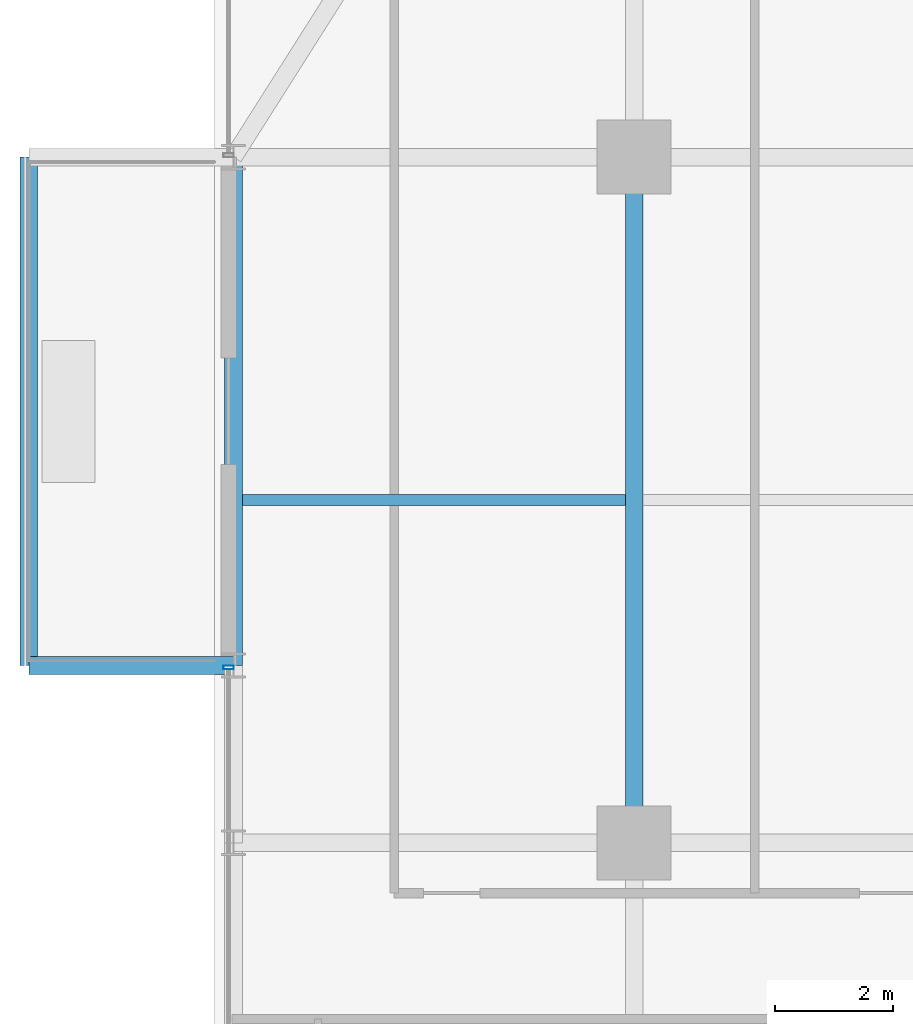
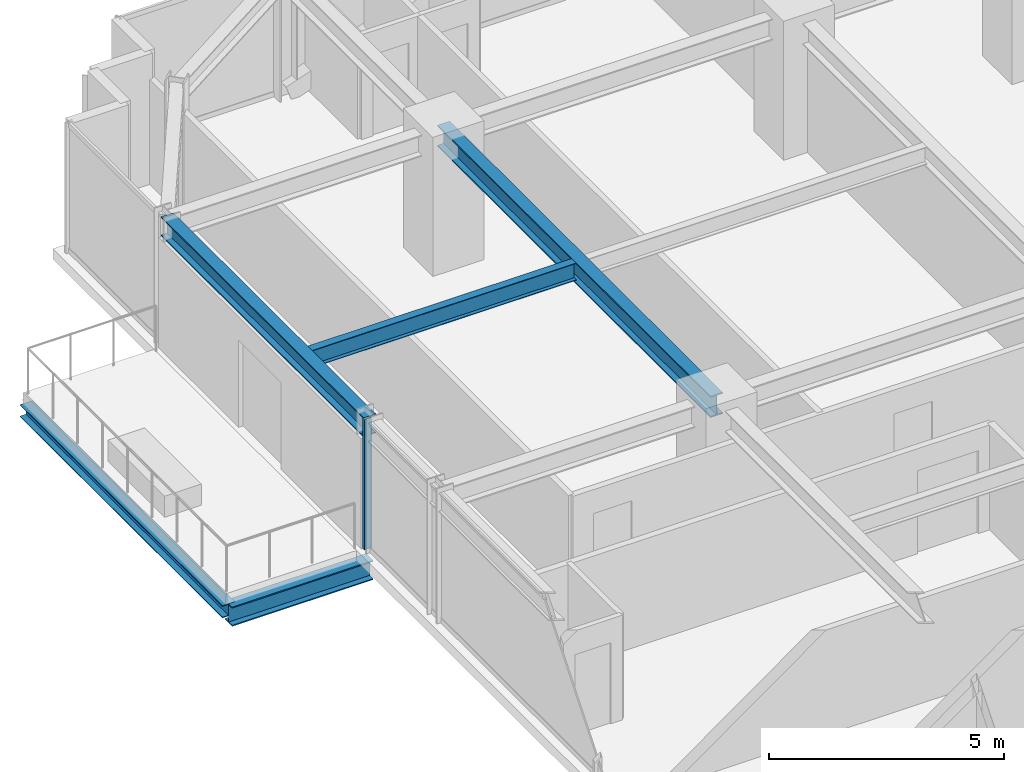
# One storey, part 16 of 39: 5 beams, 1 member, 1 element without a shape of its own.
"""IFC4 building model written with IfcOpenShell, lengths in metres."""

from ifc_helpers import new_model, si_unit, direction, frame, origin, origin_2d, place, context, subcontext, project, spatial, hollow_rectangle, i_section, extrude, source, transform, mapped, material, material_profile, profile_set, type_object, element, aggregate, save


model = new_model("IFC4")

# Units and contexts
model_context = context("Model", 3, precision=1e-05, world=origin(), true_north=direction((0.0, 1.0)))
body_context = subcontext(model_context, "Body", "Model", "MODEL_VIEW")
ifc_project = project(units=[si_unit("LENGTHUNIT", "METRE"), si_unit("AREAUNIT", "SQUARE_METRE"), si_unit("VOLUMEUNIT", "CUBIC_METRE"), si_unit("PLANEANGLEUNIT", "RADIAN"), si_unit("MASSUNIT", "GRAM", prefix="KILO")], contexts=[model_context])

# Site, building, storey
site_placement = place(None, origin())
site = spatial("IfcSite", under=ifc_project, at=site_placement, CompositionType="ELEMENT")
building_placement = place(site_placement, origin())
building = spatial("IfcBuilding", under=site, at=building_placement, Name="Nahalor Promenade Grand Hotel", CompositionType="ELEMENT")
storey_placement = place(building_placement, frame((0.0, 0.0, 135.75)))
storey = spatial("IfcBuildingStorey", under=building, at=storey_placement, Name="L34", CompositionType="ELEMENT", Elevation=135.75)

# Beams
ifc_material_1 = material(Name="Steel S355JR", Category="steel")
ifc_material_profile_1 = material_profile(ifc_material_1, i_section(OverallWidth=0.3, OverallDepth=0.32, WebThickness=0.0115, FlangeThickness=0.0205, at=origin_2d()), Name="HEB 320")
ifc_profile_set_1 = profile_set([ifc_material_profile_1], Name="Steel S355JR")
beam_type_1 = type_object("IfcBeamType", Name="Beam-BalcEdge-HEB320", PredefinedType="SPANDREL", material=ifc_profile_set_1)
shared_shape_1 = source(origin(), body_context, "Body", "SweptSolid", [
    extrude(i_section(OverallWidth=0.3, OverallDepth=0.32, WebThickness=0.0115, FlangeThickness=0.0205, at=origin_2d()), origin(), (0.0, 0.0, 1.0), 8.60009765625),
])
beam_1_placement = place(storey_placement, frame((-27.239990234375, 8.39990234375, -0.43994140625), z_axis=(0.0, 1.0, 0.0), x_axis=(-1.0, 0.0, 0.0)))
element("IfcBeam", 1, at=beam_1_placement, inside=storey, type_object=beam_type_1, Name="BM-L34-BC-02-F", PredefinedType="SPANDREL", context=body_context, shape_type="MappedRepresentation", body=[
    mapped(shared_shape_1, transform((0.0, 0.0, 0.0), scale=1.0)),
])
ifc_material_profile_2 = material_profile(ifc_material_1, i_section(OverallWidth=0.3, OverallDepth=0.5, WebThickness=0.0145, FlangeThickness=0.028, at=origin_2d()), Name="HEB 500")
ifc_profile_set_2 = profile_set([ifc_material_profile_2], Name="Steel S355JR")
beam_type_2 = type_object("IfcBeamType", Name="Beam-Outrigger-HEB500", PredefinedType="BEAM", material=ifc_profile_set_2)
shared_shape_2 = source(origin(), body_context, "Body", "SweptSolid", [
    extrude(i_section(OverallWidth=0.3, OverallDepth=0.5, WebThickness=0.0145, FlangeThickness=0.028, at=origin_2d()), origin(), (0.0, 0.0, 1.0), 3.4599609375),
])
beam_2_placement = place(storey_placement, frame((-27.239990234375, 8.39990234375, -0.530029296875), z_axis=(1.0, 0.0, 0.0), x_axis=(0.0, 1.0, 0.0)))
element("IfcBeam", 2, at=beam_2_placement, inside=storey, type_object=beam_type_2, Name="BM-L34-BC-02-1", PredefinedType="BEAM", context=body_context, shape_type="MappedRepresentation", body=[
    mapped(shared_shape_2, transform((0.0, 0.0, 0.0), scale=1.0)),
])
ifc_material_profile_3 = material_profile(ifc_material_1, i_section(OverallWidth=0.3, OverallDepth=0.5, WebThickness=0.0145, FlangeThickness=0.028, at=origin_2d()), Name="HEB 500")
ifc_profile_set_3 = profile_set([ifc_material_profile_3], Name="Steel S355JR")
beam_type_3 = type_object("IfcBeamType", Name="Beam-Spandrel-HEB500", PredefinedType="SPANDREL", material=ifc_profile_set_3)
shared_shape_3 = source(origin(), body_context, "Body", "SweptSolid", [
    extrude(i_section(OverallWidth=0.3, OverallDepth=0.5, WebThickness=0.0145, FlangeThickness=0.028, at=origin_2d()), origin(), (0.0, 0.0, 1.0), 8.60009765625),
])
beam_3_placement = place(storey_placement, frame((-23.780029296875, 8.39990234375, 3.1298828125), z_axis=(0.0, 1.0, 0.0), x_axis=(-1.0, 0.0, 0.0)))
element("IfcBeam", 3, at=beam_3_placement, inside=storey, type_object=beam_type_3, Name="BM-L34-SP-W-4", PredefinedType="SPANDREL", context=body_context, shape_type="MappedRepresentation", body=[
    mapped(shared_shape_3, transform((0.0, 0.0, 0.0), scale=1.0)),
])
ifc_material_profile_4 = material_profile(ifc_material_1, i_section(OverallWidth=0.3, OverallDepth=0.55, WebThickness=0.015, FlangeThickness=0.029, at=origin_2d()), Name="HEB 550")
ifc_profile_set_4 = profile_set([ifc_material_profile_4], Name="Steel S355JR")
beam_type_4 = type_object("IfcBeamType", Name="Beam-Girder-HEB550", PredefinedType="BEAM", material=ifc_profile_set_4)
shared_shape_4 = source(origin(), body_context, "Body", "SweptSolid", [
    extrude(i_section(OverallWidth=0.3, OverallDepth=0.55, WebThickness=0.015, FlangeThickness=0.029, at=origin_2d()), origin(), (0.0, 0.0, 1.0), 11.60009765625),
])
beam_4_placement = place(storey_placement, frame((-17.0, 5.39990234375, 3.10498046875), z_axis=(0.0, 1.0, 0.0), x_axis=(-1.0, 0.0, 0.0)))
element("IfcBeam", 4, at=beam_4_placement, inside=storey, type_object=beam_type_4, Name="BM-L34-GY-0-3", PredefinedType="BEAM", context=body_context, shape_type="MappedRepresentation", body=[
    mapped(shared_shape_4, transform((0.0, 0.0, 0.0), scale=1.0)),
])
ifc_material_profile_5 = material_profile(ifc_material_1, i_section(OverallWidth=0.19, OverallDepth=0.45, WebThickness=0.0094, FlangeThickness=0.0146, at=origin_2d()), Name="IPE 450")
ifc_profile_set_5 = profile_set([ifc_material_profile_5], Name="Steel S355JR")
beam_type_5 = type_object("IfcBeamType", Name="Beam-Joist-IPE450", PredefinedType="JOIST", material=ifc_profile_set_5)
shared_shape_5 = source(origin(), body_context, "Body", "SweptSolid", [
    extrude(i_section(OverallWidth=0.19, OverallDepth=0.45, WebThickness=0.0094, FlangeThickness=0.0146, at=origin_2d()), origin(), (0.0, 0.0, 1.0), 6.47998046875),
])
beam_5_placement = place(storey_placement, frame((-23.6298828125, 11.199951171875, 3.155029296875), z_axis=(1.0, 0.0, 0.0), x_axis=(0.0, 1.0, 0.0)))
element("IfcBeam", 5, at=beam_5_placement, inside=storey, type_object=beam_type_5, Name="BM-L34-JSW-1-0", PredefinedType="JOIST", context=body_context, shape_type="MappedRepresentation", body=[
    mapped(shared_shape_5, transform((0.0, 0.0, 0.0), scale=1.0)),
])

# Curtain wall, member
ifc_material_2 = material(Name="Anodised Bronze Aluminium EN AW-6063 T6", Category="aluminium")
curtain_wall_type = type_object("IfcCurtainWallType", Name="CW2 Typical Hotel Flush Bronze Unitised Curtain Wall", PredefinedType="USERDEFINED", material=ifc_material_2)
curtain_wall_placement = place(storey_placement, origin())
curtain_wall = element("IfcCurtainWall", 6, at=curtain_wall_placement, inside=storey, type_object=curtain_wall_type, Name="L34 Curtain Wall CW-L34-W-1", ObjectType="UNITISED_CURTAIN_WALL", PredefinedType="USERDEFINED")
ifc_material_profile_6 = material_profile(ifc_material_2, hollow_rectangle(XDim=0.065, YDim=0.18, WallThickness=0.004, at=origin_2d()), Name="CWM 65x180x4")
ifc_profile_set_6 = profile_set([ifc_material_profile_6], Name="Anodised Bronze Aluminium EN AW-6063 T6")
member_type = type_object("IfcMemberType", Name="CWM2 Typical Bronze Mullion 65x180", PredefinedType="MULLION", material=ifc_profile_set_6)
shared_shape_6 = source(origin(), body_context, "Body", "SweptSolid", [
    extrude(hollow_rectangle(XDim=0.065, YDim=0.18, WallThickness=0.004, at=origin_2d()), origin(), (0.0, 0.0, 1.0), 3.3798828125),
])
member_placement = place(storey_placement, frame((-23.860107421875, 8.367431640625, 0.0), z_axis=(0.0, 0.0, 1.0), x_axis=(0.0, 1.0, 0.0)))
member = element("IfcMember", 7, at=member_placement, type_object=member_type, Name="CW-L34-W-1 Mullion 3", PredefinedType="MULLION", context=body_context, shape_type="MappedRepresentation", body=[
    mapped(shared_shape_6, transform((0.0, 0.0, 0.0), scale=1.0)),
])
aggregate(curtain_wall, [member])

save(model, "model.ifc")
